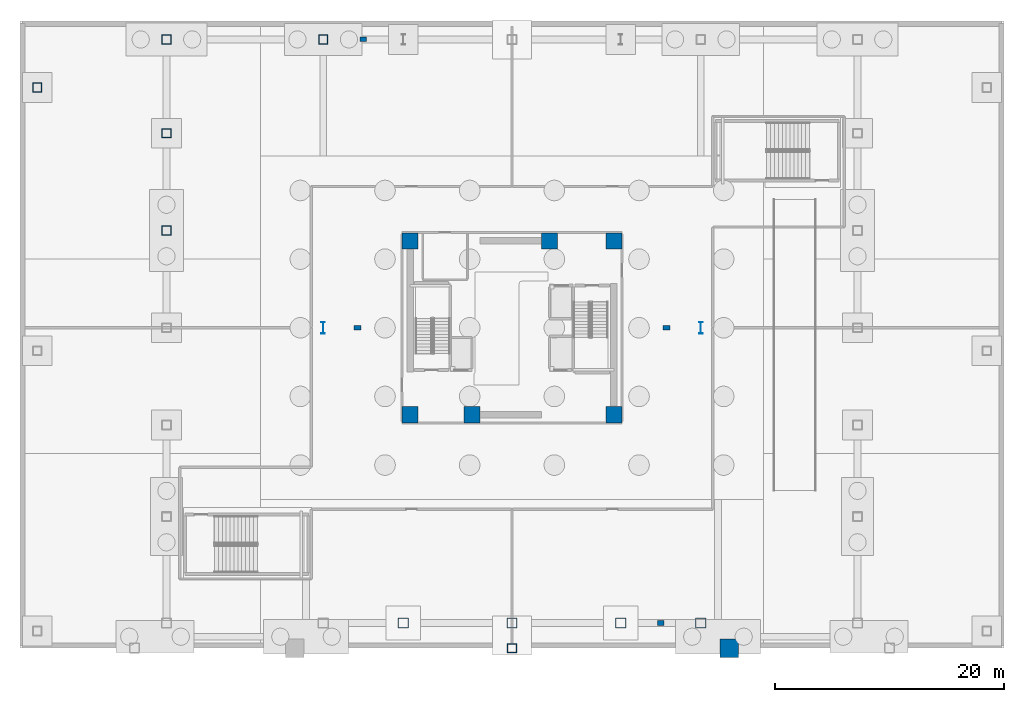
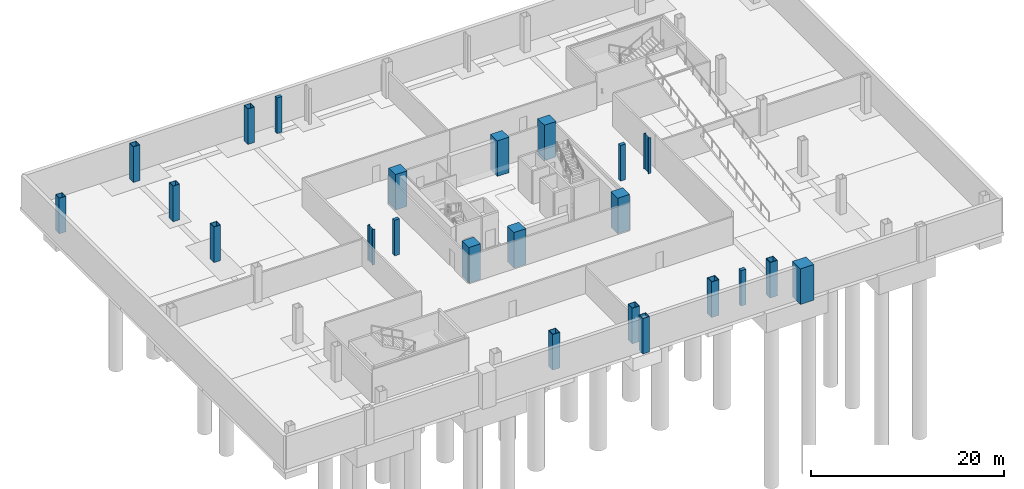
# One storey, part 3 of 15: 23 columns.
"""IFC4 building model written with IfcOpenShell, lengths in metres."""

import ifcopenshell
import ifcopenshell.guid

model = None  # the IFC model being written
_history = None  # IfcOwnerHistory: only IFC2X3 demands one
_inside = {}  # id of a spatial element -> (the spatial element, [elements in it])
_under = {}  # id of a project, library or spatial element -> (it, [spatial elements below it])
_declared = {}  # id of a project -> (the project, [libraries it declares])
_typed = {}  # id of a type object -> (the type object, [elements of that type])
_made_of = {}  # id of a material, layer set ... -> (it, [elements and type objects made of it])


def new_model(schema):
    """Start an empty IFC model of exactly this schema.

    Asked for "IFC4X3", IfcOpenShell would pick the latest addendum, in which some entities
    have other attributes; the version numbers below select the first issue.
    IFC2X3 requires an IfcOwnerHistory on every rooted entity: one is made here for all.
    """
    global model, _history
    if schema == "IFC4X3":
        model = ifcopenshell.file(schema_version=(4, 3, 0, 0))
    else:
        model = ifcopenshell.file(schema=schema)
    _inside.clear()
    _under.clear()
    _declared.clear()
    _typed.clear()
    _made_of.clear()
    _history = None
    if model.schema == "IFC2X3":
        org = make("IfcOrganization", Name="unknown")
        user = make(
            "IfcPersonAndOrganization",
            ThePerson=make("IfcPerson", FamilyName="unknown"),
            TheOrganization=org,
        )
        app = make(
            "IfcApplication",
            ApplicationDeveloper=org,
            Version="unknown",
            ApplicationFullName="unknown",
            ApplicationIdentifier="unknown",
        )
        _history = make(
            "IfcOwnerHistory",
            OwningUser=user,
            OwningApplication=app,
            ChangeAction="ADDED",
            CreationDate=0,
        )
    return model


def make(cls, **values):
    """One entity of the class cls with the attributes given. An attribute that is None is left unset."""
    return model.create_entity(
        cls, **{name: value for name, value in values.items() if value is not None}
    )


def rooted(cls, **values):
    """An entity with a GlobalId (a new one), such as an element, a storey or a relation."""
    return make(cls, GlobalId=ifcopenshell.guid.new(), OwnerHistory=_history, **values)


def si_unit(unit_type, name, prefix=None):
    """IfcSIUnit, for example si_unit("LENGTHUNIT", "METRE", prefix="MILLI")."""
    return make("IfcSIUnit", UnitType=unit_type, Prefix=prefix, Name=name)


def assignment(units):
    """IfcUnitAssignment: the units of a project."""
    return None if units is None else make("IfcUnitAssignment", Units=units)


def point(xyz):
    """IfcCartesianPoint."""
    return None if xyz is None else make("IfcCartesianPoint", Coordinates=xyz)


def direction(xyz):
    """IfcDirection."""
    return None if xyz is None else make("IfcDirection", DirectionRatios=xyz)


def frame(location, z_axis=None, x_axis=None):
    """IfcAxis2Placement3D, a coordinate frame: its origin and axes. An axis left out is left unset."""
    return make(
        "IfcAxis2Placement3D",
        Location=point(location),
        Axis=direction(z_axis),
        RefDirection=direction(x_axis),
    )


def frame_2d(location, x_axis=None):
    """IfcAxis2Placement2D, a coordinate frame in the plane: its origin and x axis."""
    return make(
        "IfcAxis2Placement2D", Location=point(location), RefDirection=direction(x_axis)
    )


def origin():
    """The frame at (0, 0, 0) with its axes left unset."""
    return frame((0.0, 0.0, 0.0))


def origin_2d():
    """The frame at (0, 0) in the plane with its x axis left unset."""
    return frame_2d((0.0, 0.0))


def place(relative_to, where):
    """IfcLocalPlacement: puts the frame where relative to a parent placement (None: the world)."""
    return make(
        "IfcLocalPlacement", PlacementRelTo=relative_to, RelativePlacement=where
    )


def context(
    kind, dimensions, precision=None, world=None, true_north=None, identifier=None
):
    """IfcGeometricRepresentationContext, for example the 3D "Model" context."""
    return make(
        "IfcGeometricRepresentationContext",
        ContextIdentifier=identifier,
        ContextType=kind,
        CoordinateSpaceDimension=dimensions,
        Precision=precision,
        WorldCoordinateSystem=world,
        TrueNorth=true_north,
    )


def subcontext(parent, identifier, kind, view, scale=None):
    """IfcGeometricRepresentationSubContext, for example "Body" below "Model"."""
    return make(
        "IfcGeometricRepresentationSubContext",
        ContextIdentifier=identifier,
        ContextType=kind,
        ParentContext=parent,
        TargetScale=scale,
        TargetView=view,
    )


def project(units=None, contexts=None):
    """IfcProject with its units and contexts."""
    return rooted(
        "IfcProject",
        Name="project",
        RepresentationContexts=contexts,
        UnitsInContext=assignment(units),
    )


def spatial(cls, under=None, at=None, **own):
    """A site, building, storey or space (cls), placed at a placement, below another one or the project."""
    s = rooted(cls, ObjectPlacement=at, **own)
    if under is not None:
        _under.setdefault(under.id(), (under, []))[1].append(s)
    return s


def profile(cls, at=None, kind="AREA", **sizes):
    """A parametric profile (cls). Its sizes go by their IFC names, for example OverallWidth=200.0."""
    return make(cls, ProfileType=kind, Position=at, **sizes)


def rectangle(**sizes):
    """IfcRectangleProfileDef."""
    return profile("IfcRectangleProfileDef", **sizes)


def hollow_rectangle(**sizes):
    """IfcRectangleHollowProfileDef."""
    return profile("IfcRectangleHollowProfileDef", **sizes)


def i_section(**sizes):
    """IfcIShapeProfileDef."""
    return profile("IfcIShapeProfileDef", **sizes)


def extrude(swept, where, along, depth):
    """IfcExtrudedAreaSolid: the profile swept, set in the frame where, extruded along a direction by depth."""
    return make(
        "IfcExtrudedAreaSolid",
        SweptArea=swept,
        Position=where,
        ExtrudedDirection=direction(along),
        Depth=depth,
    )


def shape(context_of_items, identifier, shape_type, items):
    """IfcShapeRepresentation: the items that make up one representation, for example the "Body"."""
    return make(
        "IfcShapeRepresentation",
        ContextOfItems=context_of_items,
        RepresentationIdentifier=identifier,
        RepresentationType=shape_type,
        Items=items,
    )


def material(Name=None, Category=None):
    """IfcMaterial."""
    return make("IfcMaterial", Name=Name, Category=Category)


def material_profile(
    of_material, cross_section, Name=None, Category=None, Priority=None
):
    """IfcMaterialProfile: a cross section and its material."""
    return make(
        "IfcMaterialProfile",
        Name=Name,
        Material=of_material,
        Profile=cross_section,
        Priority=Priority,
        Category=Category,
    )


def profile_set(profiles, Name=None, composite=None):
    """IfcMaterialProfileSet."""
    return make(
        "IfcMaterialProfileSet",
        Name=Name,
        MaterialProfiles=profiles,
        CompositeProfile=composite,
    )


def made_of(thing, what):
    """Note that an element or type object is made of a material, layer set ...; save() writes the relation."""
    if what is not None:
        _made_of.setdefault(what.id(), (what, []))[1].append(thing)
    return thing


def type_object(cls, material=None, **own):
    """A type object (cls), such as IfcWallType, which elements share."""
    return made_of(rooted(cls, **own), material)


def element(
    cls,
    number,
    at=None,
    inside=None,
    cuts=None,
    type_object=None,
    material=None,
    context=None,
    identifier="Body",
    shape_type=None,
    held_by="IfcProductDefinitionShape",
    body=None,
    shapes=None,
    **own,
):
    """One element of the class cls, such as IfcWall. Its Tag is "e" and its number.

    at: its placement. inside: the storey or other place that contains it. cuts: it is an
    opening in that element (IfcRelVoidsElement). A single representation is given by context,
    identifier, shape_type and body (its items); several are given by shapes. held_by: the class
    of the entity that holds the representations. save() writes the other relations.
    """
    e = rooted(cls, Tag="e%d" % number, ObjectPlacement=at, **own)
    if body is not None:
        shapes = [shape(context, identifier, shape_type, body)]
    if shapes is not None:
        e.Representation = make(held_by, Representations=shapes)
    if inside is not None:
        _inside.setdefault(inside.id(), (inside, []))[1].append(e)
    if cuts is not None:
        rooted(
            "IfcRelVoidsElement", RelatingBuildingElement=cuts, RelatedOpeningElement=e
        )
    if type_object is not None:
        _typed.setdefault(type_object.id(), (type_object, []))[1].append(e)
    return made_of(e, material)


def aggregate(whole, parts):
    """IfcRelAggregates: a whole, such as a stair, and the parts it consists of."""
    return rooted("IfcRelAggregates", RelatingObject=whole, RelatedObjects=parts)


def save(model, path):
    """Write the relations noted so far, then the file.

    IfcRelAggregates (storeys below a building ...), IfcRelContainedInSpatialStructure (elements
    in a storey), IfcRelDefinesByType, IfcRelAssociatesMaterial and IfcRelDeclares: one each for
    every whole, place, type object, material and project.
    """
    for whole, parts in _under.values():
        aggregate(whole, parts)
    for where, things in _inside.values():
        rooted(
            "IfcRelContainedInSpatialStructure",
            RelatedElements=things,
            RelatingStructure=where,
        )
    for kind, things in _typed.values():
        rooted("IfcRelDefinesByType", RelatedObjects=things, RelatingType=kind)
    for what, things in _made_of.values():
        rooted("IfcRelAssociatesMaterial", RelatedObjects=things, RelatingMaterial=what)
    for by, libraries in _declared.values():
        rooted("IfcRelDeclares", RelatingContext=by, RelatedDefinitions=libraries)
    model.write(path)


model = new_model("IFC4")

# Units and contexts
model_context = context("Model", 3, precision=1e-05, world=origin(), true_north=direction((0.0, 1.0)))
body_context = subcontext(model_context, "Body", "Model", "MODEL_VIEW")
ifc_project = project(units=[si_unit("LENGTHUNIT", "METRE"), si_unit("AREAUNIT", "SQUARE_METRE"), si_unit("VOLUMEUNIT", "CUBIC_METRE"), si_unit("PLANEANGLEUNIT", "RADIAN"), si_unit("MASSUNIT", "GRAM", prefix="KILO")], contexts=[model_context])

# Site, building, storey
site_placement = place(None, origin())
site = spatial("IfcSite", under=ifc_project, at=site_placement, CompositionType="ELEMENT")
building_placement = place(site_placement, origin())
building = spatial("IfcBuilding", under=site, at=building_placement, Name="Tharavind Bronze Gate", CompositionType="ELEMENT")
storey_placement = place(building_placement, frame((0.0, 0.0, -9.0)))
storey = spatial("IfcBuildingStorey", under=building, at=storey_placement, Name="B02", CompositionType="ELEMENT", Elevation=-9.0)

# Columns
ifc_material_1 = material(Name="Concrete C70/85", Category="concrete")
ifc_material_profile_1 = material_profile(ifc_material_1, rectangle(XDim=1.39990234375, YDim=1.39990234375, at=origin_2d()), Name="RCCOL1400")
ifc_profile_set_1 = profile_set([ifc_material_profile_1], Name="Concrete C70/85")
column_type_1 = type_object("IfcColumnType", Name="MEGA CORE COLUMN 1400", PredefinedType="COLUMN", material=ifc_profile_set_1)
for number, where, z_axis, x_axis, name in (
    (1, (-8.89990234375, -7.60009765625, 0.0), (0.0, 0.0, 1.0), (1.0, 0.0, 0.0), "B02 core mega column MC1"),
    (2, (-3.5, -7.60009765625, 0.0), (0.0, 0.0, 1.0), (1.0, 0.0, 0.0), "B02 core mega column MC2"),
    (3, (8.89990234375, -7.60009765625, 0.0), (0.0, 0.0, 1.0), (1.0, 0.0, 0.0), "B02 core mega column MC3"),
    (4, (8.89990234375, 7.60009765625, 0.0), (0.0, 0.0, 1.0), (1.0, 0.0, 0.0), "B02 core mega column MC4"),
    (5, (3.280029296875, 7.60009765625, 0.0), (0.0, 0.0, 1.0), (1.0, 0.0, 0.0), "B02 core mega column MC5"),
    (6, (-8.89990234375, 7.60009765625, 0.0), (0.0, 0.0, 1.0), (1.0, 0.0, 0.0), "B02 core mega column MC6"),
):
    element("IfcColumn", number, at=place(storey_placement, frame(where, z_axis=z_axis, x_axis=x_axis)), inside=storey, type_object=column_type_1, Name=name, PredefinedType="COLUMN", context=body_context, shape_type="SweptSolid", body=[
        extrude(rectangle(XDim=1.39990234375, YDim=1.39990234375, at=origin_2d()), origin(), (0.0, 0.0, 1.0), 4.5),
    ])
ifc_material_profile_2 = material_profile(ifc_material_1, rectangle(XDim=1.60009765625, YDim=1.60009765625, at=origin_2d()), Name="RCCOL1600")
ifc_profile_set_2 = profile_set([ifc_material_profile_2], Name="Concrete C70/85")
column_type_2 = type_object("IfcColumnType", Name="MEGA CORE COLUMN 1600", PredefinedType="COLUMN", material=ifc_profile_set_2)
column_placement = place(storey_placement, frame((19.0, -28.0, 0.0), z_axis=(0.0, 0.0, 1.0), x_axis=(1.0, 0.0, 0.0)))
element("IfcColumn", 7, at=column_placement, inside=storey, type_object=column_type_2, Name="B02 podium column ARCHE", PredefinedType="COLUMN", context=body_context, shape_type="SweptSolid", body=[
    extrude(rectangle(XDim=1.60009765625, YDim=1.60009765625, at=origin_2d()), origin(), (0.0, 0.0, 1.0), 4.5),
])
ifc_material_2 = material(Name="Steel S460", Category="steel")
ifc_material_profile_3 = material_profile(ifc_material_2, hollow_rectangle(XDim=0.800048828125, YDim=0.800048828125, WallThickness=0.044921875, at=origin_2d()), Name="SHS800X45")
ifc_profile_set_3 = profile_set([ifc_material_profile_3], Name="Steel S460")
column_type_3 = type_object("IfcColumnType", Name="PERIMETER BOX COLUMN SHS800", PredefinedType="COLUMN", material=ifc_profile_set_3)
for number, where, z_axis, x_axis, name in (
    (8, (-30.199951171875, 25.199951171875, 0.0), (0.0, 0.0, 1.0), (1.0, 0.0, 0.0), "B02 podium column PN10"),
    (9, (-16.5, 25.199951171875, 0.0), (0.0, 0.0, 1.0), (1.0, 0.0, 0.0), "B02 podium column PN24"),
    (10, (-30.199951171875, 8.5, 0.0), (0.0, 0.0, 1.0), (1.0, 0.0, 0.0), "B02 podium column PW38"),
    (11, (-30.199951171875, 17.0, 0.0), (0.0, 0.0, 1.0), (1.0, 0.0, 0.0), "B02 podium column PW47"),
    (12, (-41.5, 21.0, 0.0), (0.0, 0.0, 1.0), (1.0, 0.0, 0.0), "B02 podium column BSX8Y56"),
    (13, (0.0, -28.0, 0.0), (0.0, 0.0, 1.0), (1.0, 0.0, 0.0), "B02 arch tie pier column ARCHM"),
):
    element("IfcColumn", number, at=place(storey_placement, frame(where, z_axis=z_axis, x_axis=x_axis)), inside=storey, type_object=column_type_3, Name=name, PredefinedType="COLUMN", context=body_context, shape_type="SweptSolid", body=[
        extrude(hollow_rectangle(XDim=0.800048828125, YDim=0.800048828125, WallThickness=0.044921875, at=origin_2d()), origin(), (0.0, 0.0, 1.0), 4.5),
    ])
ifc_material_profile_4 = material_profile(ifc_material_2, hollow_rectangle(XDim=0.89990234375, YDim=0.89990234375, WallThickness=0.050048828125, at=origin_2d()), Name="SHS900X50")
ifc_profile_set_4 = profile_set([ifc_material_profile_4], Name="Steel S460")
column_type_4 = type_object("IfcColumnType", Name="PERIMETER BOX COLUMN SHS900", PredefinedType="COLUMN", material=ifc_profile_set_4)
for number, where, z_axis, x_axis, name in (
    (14, (-9.5, -25.800048828125, 0.0), (0.0, 0.0, 1.0), (1.0, 0.0, 0.0), "B02 podium column PS30"),
    (15, (0.0, -25.800048828125, 0.0), (0.0, 0.0, 1.0), (1.0, 0.0, 0.0), "B02 podium column PS40"),
    (16, (9.5, -25.800048828125, 0.0), (0.0, 0.0, 1.0), (1.0, 0.0, 0.0), "B02 podium column PS50"),
    (17, (16.5, -25.800048828125, 0.0), (0.0, 0.0, 1.0), (1.0, 0.0, 0.0), "B02 podium column PS56"),
):
    element("IfcColumn", number, at=place(storey_placement, frame(where, z_axis=z_axis, x_axis=x_axis)), inside=storey, type_object=column_type_4, Name=name, PredefinedType="COLUMN", context=body_context, shape_type="SweptSolid", body=[
        extrude(hollow_rectangle(XDim=0.89990234375, YDim=0.89990234375, WallThickness=0.050048828125, at=origin_2d()), origin(), (0.0, 0.0, 1.0), 4.5),
    ])
ifc_material_3 = material(Name="Concrete C60/75", Category="concrete")
ifc_material_profile_5 = material_profile(ifc_material_3, rectangle(XDim=0.60009765625, YDim=0.39990234375, at=origin_2d()), Name="RCPIL600X400")
ifc_profile_set_5 = profile_set([ifc_material_profile_5], Name="Concrete C60/75")
column_type_5 = type_object("IfcColumnType", Name="PILASTER COLUMN 600X400", PredefinedType="PILASTER", material=ifc_profile_set_5)
for number, where, z_axis, x_axis, name in (
    (18, (-13.5, 0.0, 0.0), (0.0, 0.0, 1.0), (1.0, 0.0, 0.0), "B02 structural pilaster PILW"),
    (19, (13.5, 0.0, 0.0), (0.0, 0.0, 1.0), (1.0, 0.0, 0.0), "B02 structural pilaster PILE"),
    (20, (-13.0, 25.199951171875, 0.0), (0.0, 0.0, 1.0), (1.0, 0.0, 0.0), "B02 structural pilaster PILN"),
    (21, (13.0, -25.800048828125, 0.0), (0.0, 0.0, 1.0), (1.0, 0.0, 0.0), "B02 structural pilaster PILS"),
):
    element("IfcColumn", number, at=place(storey_placement, frame(where, z_axis=z_axis, x_axis=x_axis)), inside=storey, type_object=column_type_5, Name=name, PredefinedType="PILASTER", context=body_context, shape_type="SweptSolid", body=[
        extrude(rectangle(XDim=0.60009765625, YDim=0.39990234375, at=origin_2d()), origin(), (0.0, 0.0, 1.0), 4.5),
    ])
ifc_material_profile_6 = material_profile(ifc_material_2, i_section(OverallWidth=0.302001953125, OverallDepth=1.008056640625, WebThickness=0.02099609375, FlangeThickness=0.0400390625, at=origin_2d()), Name="HE1000M")
ifc_profile_set_6 = profile_set([ifc_material_profile_6], Name="Steel S460")
column_type_6 = type_object("IfcColumnType", Name="PODIUM HALL COLUMN HE1000M", PredefinedType="COLUMN", material=ifc_profile_set_6)
for number, where, z_axis, x_axis, name in (
    (22, (-16.5, 0.0, 0.0), (0.0, 0.0, 1.0), (1.0, 0.0, 0.0), "B02 podium column PMW0"),
    (23, (16.5, 0.0, 0.0), (0.0, 0.0, 1.0), (1.0, 0.0, 0.0), "B02 podium column PME0"),
):
    element("IfcColumn", number, at=place(storey_placement, frame(where, z_axis=z_axis, x_axis=x_axis)), inside=storey, type_object=column_type_6, Name=name, PredefinedType="COLUMN", context=body_context, shape_type="SweptSolid", body=[
        extrude(i_section(OverallWidth=0.302001953125, OverallDepth=1.008056640625, WebThickness=0.02099609375, FlangeThickness=0.0400390625, at=origin_2d()), origin(), (0.0, 0.0, 1.0), 4.5),
    ])

save(model, "model.ifc")
